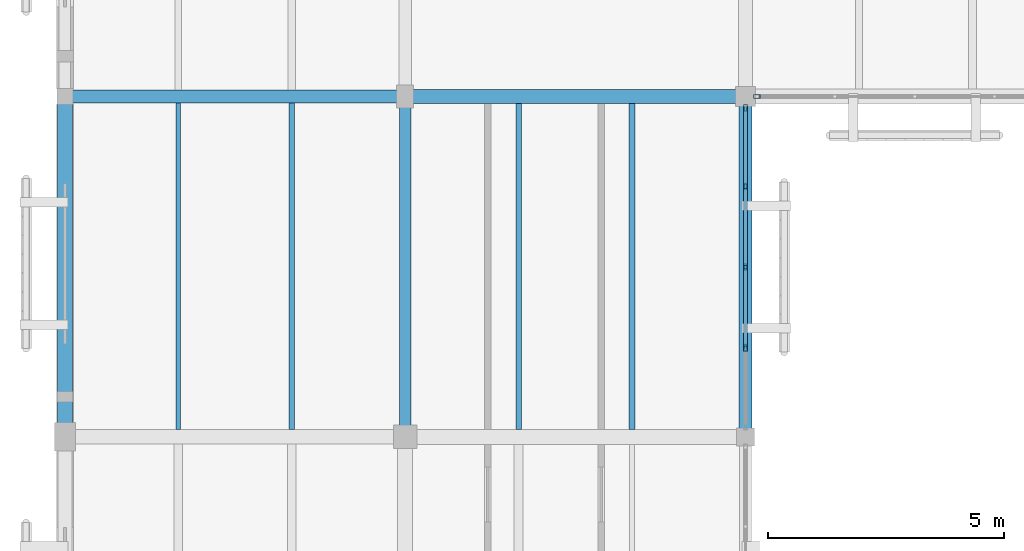
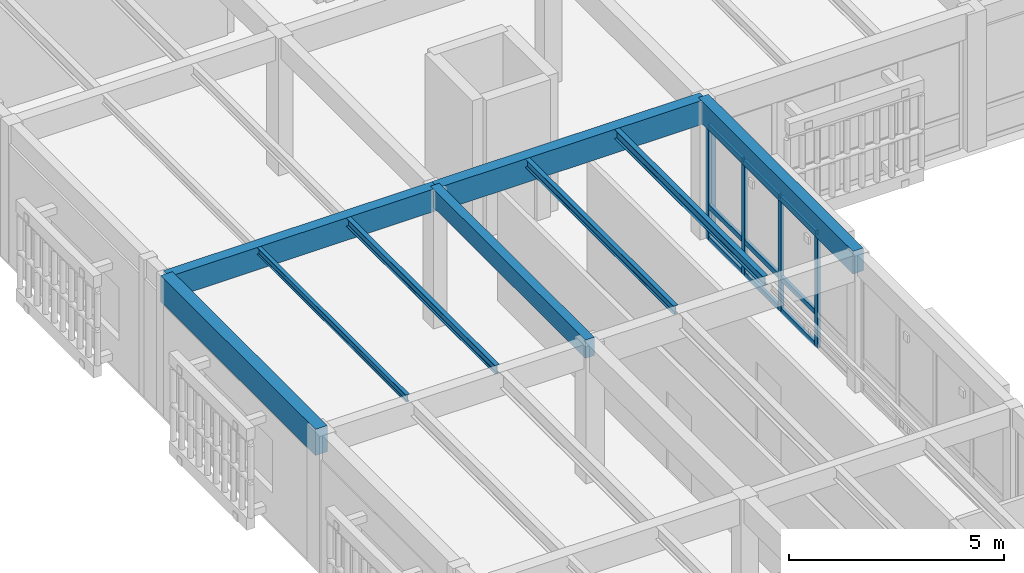
# One storey, part 54 of 217: 14 members, 9 beams, 2 elements without a shape of their own.
"""IFC4 building model written with IfcOpenShell, lengths in metres."""

from ifc_helpers import new_model, si_unit, direction, frame, origin, origin_2d, place, context, subcontext, project, spatial, rectangle, hollow_rectangle, i_section, extrude, material, layer, layer_set, material_profile, profile_set, type_object, element, aggregate, save


model = new_model("IFC4")

# Units and contexts
model_context = context("Model", 3, precision=1e-05, world=origin(), true_north=direction((0.0, 1.0)))
body_context = subcontext(model_context, "Body", "Model", "MODEL_VIEW")
ifc_project = project(units=[si_unit("LENGTHUNIT", "METRE"), si_unit("AREAUNIT", "SQUARE_METRE"), si_unit("VOLUMEUNIT", "CUBIC_METRE"), si_unit("PLANEANGLEUNIT", "RADIAN"), si_unit("MASSUNIT", "GRAM", prefix="KILO")], contexts=[model_context])

# Site, building, storey
site_placement = place(None, origin())
site = spatial("IfcSite", under=ifc_project, at=site_placement, CompositionType="ELEMENT")
building_placement = place(site_placement, origin())
building = spatial("IfcBuilding", under=site, at=building_placement, Name="Mazaris Harbour Polytechnic", CompositionType="ELEMENT")
storey_placement = place(building_placement, frame((0.0, 0.0, 9.60009765625)))
storey = spatial("IfcBuildingStorey", under=building, at=storey_placement, Name="L02", CompositionType="ELEMENT", Elevation=9.60009765625)

# Curtain wall, member
ifc_material_1 = material(Name="Anodised Bronze Aluminium and Low-E Glass", Category="aluminium")
ifc_layer = layer(ifc_material_1, 0.159912109375, Name="Anodised Bronze Aluminium and Low-E Glass")
ifc_layer_set = layer_set([ifc_layer], Name="Anodised Bronze Aluminium and Low-E Glass")
curtain_wall_type = type_object("IfcCurtainWallType", Name="Cloister Court Curtain Wall", PredefinedType="NOTDEFINED", material=ifc_layer_set)
curtain_wall_1_placement = place(storey_placement, origin())
curtain_wall_1 = element("IfcCurtainWall", 1, at=curtain_wall_1_placement, inside=storey, type_object=curtain_wall_type, Name="V4 L02 Curtain Wall 135", PredefinedType="NOTDEFINED")
ifc_material_2 = material(Name="Anodised Bronze Steel S355", Category="steel")
ifc_material_profile_1 = material_profile(ifc_material_2, hollow_rectangle(XDim=0.080078125, YDim=0.139892578125, WallThickness=0.00634765625, at=origin_2d()), Name="RHS 80x140x6.3")
ifc_profile_set_1 = profile_set([ifc_material_profile_1], Name="Anodised Bronze Steel S355")
member_type_1 = type_object("IfcMemberType", Name="Curtain Mullion RHS80x140", PredefinedType="MULLION", material=ifc_profile_set_1)
member_1_placement = place(storey_placement, frame((14.64208984375, 68.39990234375, 0.0), z_axis=(0.0, 0.0, 1.0), x_axis=(0.0, -1.0, 0.0)))
member_1 = element("IfcMember", 2, at=member_1_placement, type_object=member_type_1, Name="CW-02 mullion 5", PredefinedType="MULLION", context=body_context, shape_type="SweptSolid", body=[
    extrude(hollow_rectangle(XDim=0.080078125, YDim=0.139892578125, WallThickness=0.00634765625, at=origin_2d()), origin(), (0.0, 0.0, 1.0), 3.139892578125),
])
aggregate(curtain_wall_1, [member_1])

# Curtain wall, members
curtain_wall_2_placement = place(storey_placement, origin())
curtain_wall_2 = element("IfcCurtainWall", 3, at=curtain_wall_2_placement, inside=storey, type_object=curtain_wall_type, Name="V4 L02 Curtain Wall 140", PredefinedType="NOTDEFINED")
member_2_placement = place(storey_placement, frame((14.39990234375, 63.0859375, 0.0), z_axis=(0.0, 0.0, 1.0), x_axis=(-1.0, 0.0, 0.0)))
member_2 = element("IfcMember", 4, at=member_2_placement, type_object=member_type_1, Name="CW-02 mullion 2", PredefinedType="MULLION", context=body_context, shape_type="SweptSolid", body=[
    extrude(hollow_rectangle(XDim=0.080078125, YDim=0.139892578125, WallThickness=0.00634765625, at=origin_2d()), origin(), (0.0, 0.0, 1.0), 3.239990234375),
])
member_3_placement = place(storey_placement, frame((14.39990234375, 64.7900390625, 0.0), z_axis=(0.0, 0.0, 1.0), x_axis=(-1.0, 0.0, 0.0)))
member_3 = element("IfcMember", 5, at=member_3_placement, type_object=member_type_1, Name="CW-02 mullion 3", PredefinedType="MULLION", context=body_context, shape_type="SweptSolid", body=[
    extrude(hollow_rectangle(XDim=0.080078125, YDim=0.139892578125, WallThickness=0.00634765625, at=origin_2d()), origin(), (0.0, 0.0, 1.0), 3.239990234375),
])
member_4_placement = place(storey_placement, frame((14.39990234375, 66.493896484375, 0.0), z_axis=(0.0, 0.0, 1.0), x_axis=(-1.0, 0.0, 0.0)))
member_4 = element("IfcMember", 6, at=member_4_placement, type_object=member_type_1, Name="CW-02 mullion 4", PredefinedType="MULLION", context=body_context, shape_type="SweptSolid", body=[
    extrude(hollow_rectangle(XDim=0.080078125, YDim=0.139892578125, WallThickness=0.00634765625, at=origin_2d()), origin(), (0.0, 0.0, 1.0), 3.239990234375),
])
member_5_placement = place(storey_placement, frame((14.39990234375, 68.157958984375, 0.0), z_axis=(0.0, 0.0, 1.0), x_axis=(-1.0, 0.0, 0.0)))
member_5 = element("IfcMember", 7, at=member_5_placement, type_object=member_type_1, Name="CW-02 mullion 5", PredefinedType="MULLION", context=body_context, shape_type="SweptSolid", body=[
    extrude(hollow_rectangle(XDim=0.080078125, YDim=0.139892578125, WallThickness=0.00634765625, at=origin_2d()), origin(), (0.0, 0.0, 1.0), 3.239990234375),
])
ifc_material_3 = material(Name="Anodised Bronze Steel S355", Category="steel")
ifc_material_profile_2 = material_profile(ifc_material_3, hollow_rectangle(XDim=0.080078125, YDim=0.139892578125, WallThickness=0.00634765625, at=origin_2d()), Name="RHS 80x140x6.3")
ifc_profile_set_2 = profile_set([ifc_material_profile_2], Name="Anodised Bronze Steel S355")
member_type_2 = type_object("IfcMemberType", Name="Curtain Transom RHS80x140", PredefinedType="USERDEFINED", material=ifc_profile_set_2)
member_6_placement = place(storey_placement, frame((14.39990234375, 63.1259765625, 0.039794921875), z_axis=(0.0, 1.0, 0.0), x_axis=(-1.0, 0.0, 0.0)))
member_6 = element("IfcMember", 8, at=member_6_placement, type_object=member_type_2, Name="CW-02 transom 2.1", ObjectType="TRANSOM", PredefinedType="USERDEFINED", context=body_context, shape_type="SweptSolid", body=[
    extrude(hollow_rectangle(XDim=0.080078125, YDim=0.139892578125, WallThickness=0.00634765625, at=origin_2d()), origin(), (0.0, 0.0, 1.0), 1.6240234375),
])
member_7_placement = place(storey_placement, frame((14.39990234375, 63.1259765625, 0.949951171875), z_axis=(0.0, 1.0, 0.0), x_axis=(-1.0, 0.0, 0.0)))
member_7 = element("IfcMember", 9, at=member_7_placement, type_object=member_type_2, Name="CW-02 transom 2.2", ObjectType="TRANSOM", PredefinedType="USERDEFINED", context=body_context, shape_type="SweptSolid", body=[
    extrude(hollow_rectangle(XDim=0.080078125, YDim=0.139892578125, WallThickness=0.00634765625, at=origin_2d()), origin(), (0.0, 0.0, 1.0), 1.6240234375),
])
member_8_placement = place(storey_placement, frame((14.39990234375, 63.1259765625, 3.199951171875), z_axis=(0.0, 1.0, 0.0), x_axis=(-1.0, 0.0, 0.0)))
member_8 = element("IfcMember", 10, at=member_8_placement, type_object=member_type_2, Name="CW-02 transom 2.3", ObjectType="TRANSOM", PredefinedType="USERDEFINED", context=body_context, shape_type="SweptSolid", body=[
    extrude(hollow_rectangle(XDim=0.080078125, YDim=0.139892578125, WallThickness=0.00634765625, at=origin_2d()), origin(), (0.0, 0.0, 1.0), 1.6240234375),
])
member_9_placement = place(storey_placement, frame((14.39990234375, 64.830078125, 0.039794921875), z_axis=(0.0, 1.0, 0.0), x_axis=(-1.0, 0.0, 0.0)))
member_9 = element("IfcMember", 11, at=member_9_placement, type_object=member_type_2, Name="CW-02 transom 3.1", ObjectType="TRANSOM", PredefinedType="USERDEFINED", context=body_context, shape_type="SweptSolid", body=[
    extrude(hollow_rectangle(XDim=0.080078125, YDim=0.139892578125, WallThickness=0.00634765625, at=origin_2d()), origin(), (0.0, 0.0, 1.0), 1.6240234375),
])
member_10_placement = place(storey_placement, frame((14.39990234375, 64.830078125, 0.949951171875), z_axis=(0.0, 1.0, 0.0), x_axis=(-1.0, 0.0, 0.0)))
member_10 = element("IfcMember", 12, at=member_10_placement, type_object=member_type_2, Name="CW-02 transom 3.2", ObjectType="TRANSOM", PredefinedType="USERDEFINED", context=body_context, shape_type="SweptSolid", body=[
    extrude(hollow_rectangle(XDim=0.080078125, YDim=0.139892578125, WallThickness=0.00634765625, at=origin_2d()), origin(), (0.0, 0.0, 1.0), 1.6240234375),
])
member_11_placement = place(storey_placement, frame((14.39990234375, 64.830078125, 3.199951171875), z_axis=(0.0, 1.0, 0.0), x_axis=(-1.0, 0.0, 0.0)))
member_11 = element("IfcMember", 13, at=member_11_placement, type_object=member_type_2, Name="CW-02 transom 3.3", ObjectType="TRANSOM", PredefinedType="USERDEFINED", context=body_context, shape_type="SweptSolid", body=[
    extrude(hollow_rectangle(XDim=0.080078125, YDim=0.139892578125, WallThickness=0.00634765625, at=origin_2d()), origin(), (0.0, 0.0, 1.0), 1.6240234375),
])
member_12_placement = place(storey_placement, frame((14.39990234375, 66.533935546875, 0.039794921875), z_axis=(0.0, 1.0, 0.0), x_axis=(-1.0, 0.0, 0.0)))
member_12 = element("IfcMember", 14, at=member_12_placement, type_object=member_type_2, Name="CW-02 transom 4.1", ObjectType="TRANSOM", PredefinedType="USERDEFINED", context=body_context, shape_type="SweptSolid", body=[
    extrude(hollow_rectangle(XDim=0.080078125, YDim=0.139892578125, WallThickness=0.00634765625, at=origin_2d()), origin(), (0.0, 0.0, 1.0), 1.583984375),
])
member_13_placement = place(storey_placement, frame((14.39990234375, 66.533935546875, 0.949951171875), z_axis=(0.0, 1.0, 0.0), x_axis=(-1.0, 0.0, 0.0)))
member_13 = element("IfcMember", 15, at=member_13_placement, type_object=member_type_2, Name="CW-02 transom 4.2", ObjectType="TRANSOM", PredefinedType="USERDEFINED", context=body_context, shape_type="SweptSolid", body=[
    extrude(hollow_rectangle(XDim=0.080078125, YDim=0.139892578125, WallThickness=0.00634765625, at=origin_2d()), origin(), (0.0, 0.0, 1.0), 1.583984375),
])
member_14_placement = place(storey_placement, frame((14.39990234375, 66.533935546875, 3.199951171875), z_axis=(0.0, 1.0, 0.0), x_axis=(-1.0, 0.0, 0.0)))
member_14 = element("IfcMember", 16, at=member_14_placement, type_object=member_type_2, Name="CW-02 transom 4.3", ObjectType="TRANSOM", PredefinedType="USERDEFINED", context=body_context, shape_type="SweptSolid", body=[
    extrude(hollow_rectangle(XDim=0.080078125, YDim=0.139892578125, WallThickness=0.00634765625, at=origin_2d()), origin(), (0.0, 0.0, 1.0), 1.583984375),
])
aggregate(curtain_wall_2, [member_2, member_3, member_4, member_5, member_6, member_7, member_8, member_9, member_10, member_11, member_12, member_13, member_14])

# Beams
ifc_material_4 = material(Name="Glulam GL32h", Category="wood")
ifc_material_profile_3 = material_profile(ifc_material_4, rectangle(XDim=0.239990234375, YDim=0.52001953125, at=origin_2d()), Name="RECT240x520")
ifc_profile_set_3 = profile_set([ifc_material_profile_3], Name="Glulam GL32h")
beam_type_1 = type_object("IfcBeamType", Name="Glulam Girder 240x520", PredefinedType="BEAM", material=ifc_profile_set_3)
beam_1_placement = place(storey_placement, frame((7.199951171875, 61.199951171875, 3.6298828125), z_axis=(0.0, 1.0, 0.0), x_axis=(-1.0, 0.0, 0.0)))
element("IfcBeam", 17, at=beam_1_placement, inside=storey, type_object=beam_type_1, Name="V4 L02 Tie Girder 1985", PredefinedType="BEAM", context=body_context, shape_type="SweptSolid", body=[
    extrude(rectangle(XDim=0.239990234375, YDim=0.52001953125, at=origin_2d()), origin(), (0.0, 0.0, 1.0), 7.199951171875),
])
ifc_material_5 = material(Name="Glulam GL32h", Category="wood")
ifc_material_profile_4 = material_profile(ifc_material_5, rectangle(XDim=0.280029296875, YDim=0.639892578125, at=origin_2d()), Name="RECT280x640")
ifc_profile_set_4 = profile_set([ifc_material_profile_4], Name="Glulam GL32h")
beam_type_2 = type_object("IfcBeamType", Name="Glulam Girder 280x640", PredefinedType="BEAM", material=ifc_profile_set_4)
for number, where, z_axis, x_axis, name in (
    (18, (0.0, 68.39990234375, 3.56982421875), (1.0, 0.0, 0.0), (0.0, 1.0, 0.0), "V4 L02 Girder 1937"),
    (19, (14.39990234375, 61.199951171875, 3.56982421875), (0.0, 1.0, 0.0), (-1.0, 0.0, 0.0), "V4 L02 Tie Girder 1997"),
):
    element("IfcBeam", number, at=place(storey_placement, frame(where, z_axis=z_axis, x_axis=x_axis)), inside=storey, type_object=beam_type_2, Name=name, PredefinedType="BEAM", context=body_context, shape_type="SweptSolid", body=[
        extrude(rectangle(XDim=0.280029296875, YDim=0.639892578125, at=origin_2d()), origin(), (0.0, 0.0, 1.0), 7.199951171875),
    ])
ifc_material_6 = material(Name="Glulam GL32h", Category="wood")
ifc_material_profile_5 = material_profile(ifc_material_6, rectangle(XDim=0.300048828125, YDim=0.679931640625, at=origin_2d()), Name="RECT300x680")
ifc_profile_set_5 = profile_set([ifc_material_profile_5], Name="Glulam GL32h")
beam_type_3 = type_object("IfcBeamType", Name="Glulam Girder 300x680", PredefinedType="BEAM", material=ifc_profile_set_5)
beam_2_placement = place(storey_placement, frame((7.199951171875, 68.39990234375, 3.5498046875), z_axis=(1.0, 0.0, 0.0), x_axis=(0.0, 1.0, 0.0)))
element("IfcBeam", 20, at=beam_2_placement, inside=storey, type_object=beam_type_3, Name="V4 L02 Girder 1938", PredefinedType="BEAM", context=body_context, shape_type="SweptSolid", body=[
    extrude(rectangle(XDim=0.300048828125, YDim=0.679931640625, at=origin_2d()), origin(), (0.0, 0.0, 1.0), 7.199951171875),
])
ifc_material_7 = material(Name="Glulam GL32h", Category="wood")
ifc_material_profile_6 = material_profile(ifc_material_7, rectangle(XDim=0.320068359375, YDim=0.739990234375, at=origin_2d()), Name="RECT320x740")
ifc_profile_set_6 = profile_set([ifc_material_profile_6], Name="Glulam GL32h")
beam_type_4 = type_object("IfcBeamType", Name="Glulam Girder 320x740 Exterior", PredefinedType="BEAM", material=ifc_profile_set_6)
beam_3_placement = place(storey_placement, frame((0.0, 61.199951171875, 3.52001953125), z_axis=(0.0, 1.0, 0.0), x_axis=(-1.0, 0.0, 0.0)))
element("IfcBeam", 21, at=beam_3_placement, inside=storey, type_object=beam_type_4, Name="V4 L02 Tie Girder 1974", PredefinedType="BEAM", context=body_context, shape_type="SweptSolid", body=[
    extrude(rectangle(XDim=0.320068359375, YDim=0.739990234375, at=origin_2d()), origin(), (0.0, 0.0, 1.0), 7.199951171875),
])
ifc_material_8 = material(Name="Steel S355", Category="steel")
ifc_material_profile_7 = material_profile(ifc_material_8, i_section(OverallWidth=0.10009765625, OverallDepth=0.199951171875, WebThickness=0.005615234375, FlangeThickness=0.008544921875, FilletRadius=0.011962890625, at=origin_2d()), Name="IPE 200")
ifc_profile_set_7 = profile_set([ifc_material_profile_7], Name="Steel S355")
beam_type_5 = type_object("IfcBeamType", Name="Steel Joist IPE200", PredefinedType="JOIST", material=ifc_profile_set_7)
beam_4_placement = place(storey_placement, frame((2.39990234375, 61.35009765625, 3.789794921875), z_axis=(0.0, 1.0, 0.0), x_axis=(-1.0, 0.0, 0.0)))
element("IfcBeam", 22, at=beam_4_placement, inside=storey, type_object=beam_type_5, Name="V4 L02 Floor Joist 2058", PredefinedType="JOIST", context=body_context, shape_type="SweptSolid", body=[
    extrude(i_section(OverallWidth=0.10009765625, OverallDepth=0.199951171875, WebThickness=0.005615234375, FlangeThickness=0.008544921875, FilletRadius=0.011962890625, at=origin_2d()), origin(), (0.0, 0.0, 1.0), 6.909912109375),
])
ifc_material_9 = material(Name="Steel S355", Category="steel")
ifc_material_profile_8 = material_profile(ifc_material_9, i_section(OverallWidth=0.1201171875, OverallDepth=0.239990234375, WebThickness=0.006103515625, FlangeThickness=0.009765625, FilletRadius=0.014892578125, at=origin_2d()), Name="IPE 240")
ifc_profile_set_8 = profile_set([ifc_material_profile_8], Name="Steel S355")
beam_type_6 = type_object("IfcBeamType", Name="Steel Joist IPE240", PredefinedType="JOIST", material=ifc_profile_set_8)
beam_5_placement = place(storey_placement, frame((4.800048828125, 61.35009765625, 3.77001953125), z_axis=(0.0, 1.0, 0.0), x_axis=(-1.0, 0.0, 0.0)))
element("IfcBeam", 23, at=beam_5_placement, inside=storey, type_object=beam_type_6, Name="V4 L02 Floor Joist 2059", PredefinedType="JOIST", context=body_context, shape_type="SweptSolid", body=[
    extrude(i_section(OverallWidth=0.1201171875, OverallDepth=0.239990234375, WebThickness=0.006103515625, FlangeThickness=0.009765625, FilletRadius=0.014892578125, at=origin_2d()), origin(), (0.0, 0.0, 1.0), 6.909912109375),
])
beam_6_placement = place(storey_placement, frame((9.60009765625, 61.360107421875, 3.77001953125), z_axis=(0.0, 1.0, 0.0), x_axis=(-1.0, 0.0, 0.0)))
element("IfcBeam", 24, at=beam_6_placement, inside=storey, type_object=beam_type_6, Name="V4 L02 Floor Joist 2080", PredefinedType="JOIST", context=body_context, shape_type="SweptSolid", body=[
    extrude(i_section(OverallWidth=0.1201171875, OverallDepth=0.239990234375, WebThickness=0.006103515625, FlangeThickness=0.009765625, FilletRadius=0.014892578125, at=origin_2d()), origin(), (0.0, 0.0, 1.0), 6.889892578125),
])
ifc_material_10 = material(Name="Steel S355", Category="steel")
ifc_material_profile_9 = material_profile(ifc_material_10, i_section(OverallWidth=0.135009765625, OverallDepth=0.27001953125, WebThickness=0.006591796875, FlangeThickness=0.01025390625, FilletRadius=0.014892578125, at=origin_2d()), Name="IPE 270")
ifc_profile_set_9 = profile_set([ifc_material_profile_9], Name="Steel S355")
beam_type_7 = type_object("IfcBeamType", Name="Steel Joist IPE270", PredefinedType="JOIST", material=ifc_profile_set_9)
beam_7_placement = place(storey_placement, frame((12.0, 61.360107421875, 3.7548828125), z_axis=(0.0, 1.0, 0.0), x_axis=(-1.0, 0.0, 0.0)))
element("IfcBeam", 25, at=beam_7_placement, inside=storey, type_object=beam_type_7, Name="V4 L02 Floor Joist 2081", PredefinedType="JOIST", context=body_context, shape_type="SweptSolid", body=[
    extrude(i_section(OverallWidth=0.135009765625, OverallDepth=0.27001953125, WebThickness=0.006591796875, FlangeThickness=0.01025390625, FilletRadius=0.014892578125, at=origin_2d()), origin(), (0.0, 0.0, 1.0), 6.889892578125),
])

save(model, "model.ifc")
